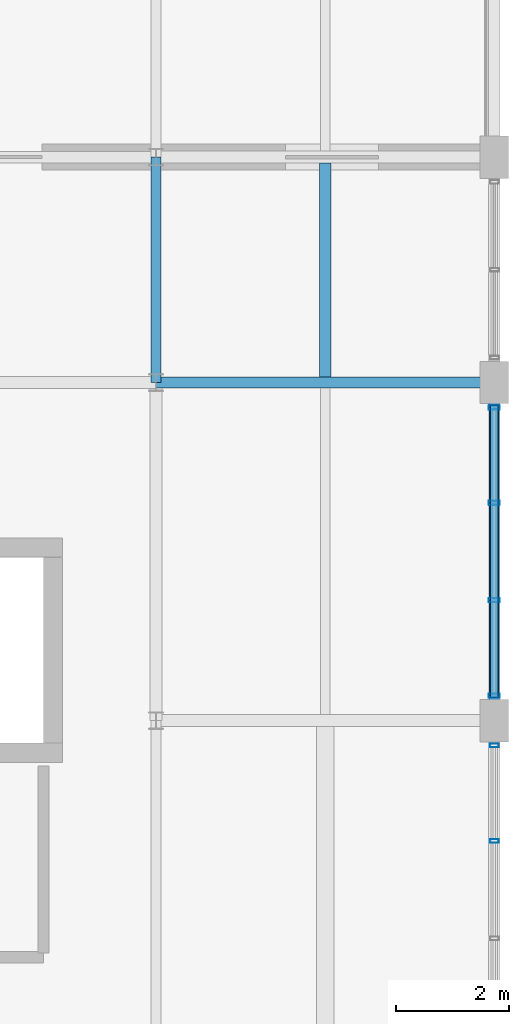
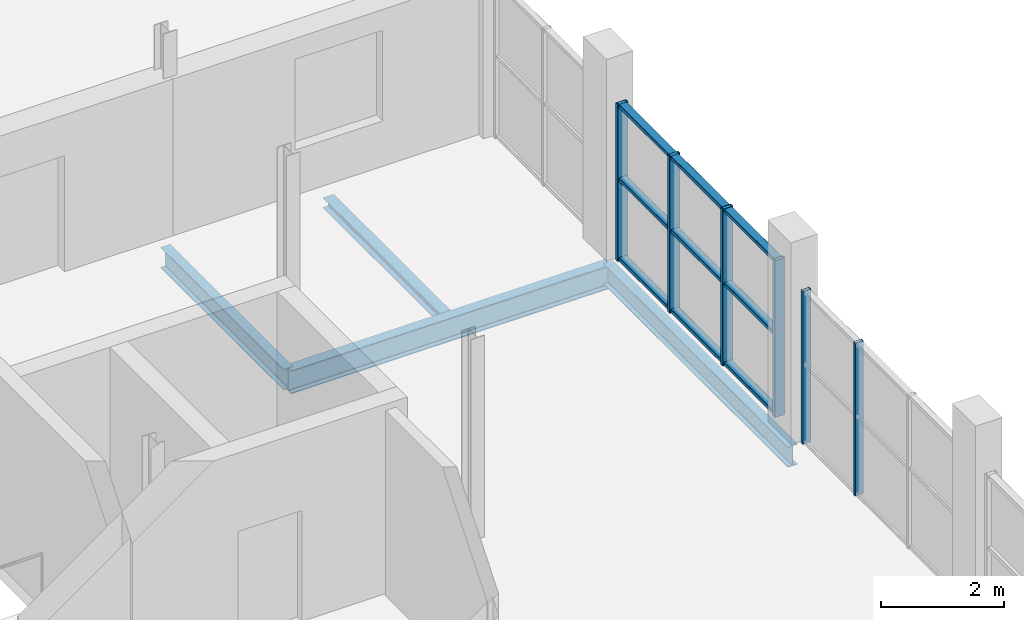
# One storey, part 71 of 96: 9 members, 4 beams, 2 elements without a shape of their own.
"""IFC4 building model written with IfcOpenShell, lengths in metres."""

from ifc_helpers import new_model, si_unit, direction, frame, origin, origin_2d, place, context, subcontext, project, spatial, hollow_rectangle, i_section, extrude, material, material_profile, profile_set, type_object, element, aggregate, save


model = new_model("IFC4")

# Units and contexts
model_context = context("Model", 3, precision=1e-05, world=origin(), true_north=direction((0.0, 1.0)))
body_context = subcontext(model_context, "Body", "Model", "MODEL_VIEW")
ifc_project = project(units=[si_unit("LENGTHUNIT", "METRE"), si_unit("AREAUNIT", "SQUARE_METRE"), si_unit("VOLUMEUNIT", "CUBIC_METRE"), si_unit("PLANEANGLEUNIT", "RADIAN"), si_unit("MASSUNIT", "GRAM", prefix="KILO")], contexts=[model_context])

# Site, building, storey
site_placement = place(None, origin())
site = spatial("IfcSite", under=ifc_project, at=site_placement, CompositionType="ELEMENT")
building_placement = place(site_placement, origin())
building = spatial("IfcBuilding", under=site, at=building_placement, Name="Verrall Gate Interchange", CompositionType="ELEMENT")
storey_placement = place(building_placement, frame((0.0, 0.0, 11.39990234375)))
storey = spatial("IfcBuildingStorey", under=building, at=storey_placement, Name="L03", CompositionType="ELEMENT", Elevation=11.39990234375)

# Beams
ifc_material_1 = material(Name="Structural Steel CSA G40.21 350W", Category="steel")
ifc_material_profile_1 = material_profile(ifc_material_1, i_section(OverallWidth=0.19189453125, OverallDepth=0.462890625, WebThickness=0.010498046875, FlangeThickness=0.017578125, FilletRadius=0.012939453125, at=origin_2d()), Name="W460x89")
ifc_profile_set_1 = profile_set([ifc_material_profile_1], Name="Structural Steel CSA G40.21 350W")
beam_type_1 = type_object("IfcBeamType", Name="B-11 Structural Beam W460x89", PredefinedType="BEAM", material=ifc_profile_set_1)
beam_1_placement = place(storey_placement, frame((162.0, 40.0, -0.5615234375), z_axis=(1.0, 0.0, 0.0), x_axis=(0.0, 1.0, 0.0)))
element("IfcBeam", 1, at=beam_1_placement, inside=storey, type_object=beam_type_1, Name="L03 Girder BM-L03-2084 (B-11)", PredefinedType="BEAM", context=body_context, shape_type="SweptSolid", body=[
    extrude(i_section(OverallWidth=0.19189453125, OverallDepth=0.462890625, WebThickness=0.010498046875, FlangeThickness=0.017578125, FilletRadius=0.012939453125, at=origin_2d()), origin(), (0.0, 0.0, 1.0), 6.0),
])
ifc_material_2 = material(Name="Structural Steel CSA G40.21 350W", Category="steel")
ifc_material_profile_2 = material_profile(ifc_material_2, i_section(OverallWidth=0.178955078125, OverallDepth=0.409912109375, WebThickness=0.0087890625, FlangeThickness=0.014404296875, FilletRadius=0.011962890625, at=origin_2d()), Name="W410x67")
ifc_profile_set_2 = profile_set([ifc_material_profile_2], Name="Structural Steel CSA G40.21 350W")
beam_type_2 = type_object("IfcBeamType", Name="B-12 Structural Beam W410x67", PredefinedType="BEAM", material=ifc_profile_set_2)
beam_2_placement = place(storey_placement, frame((162.0, 40.0, -0.534912109375), z_axis=(0.0, 1.0, 0.0), x_axis=(-1.0, 0.0, 0.0)))
element("IfcBeam", 2, at=beam_2_placement, inside=storey, type_object=beam_type_2, Name="L03 Girder BM-L03-2368 (B-12)", PredefinedType="BEAM", context=body_context, shape_type="SweptSolid", body=[
    extrude(i_section(OverallWidth=0.178955078125, OverallDepth=0.409912109375, WebThickness=0.0087890625, FlangeThickness=0.014404296875, FilletRadius=0.011962890625, at=origin_2d()), origin(), (0.0, 0.0, 1.0), 4.0),
])
beam_3_placement = place(storey_placement, frame((168.0, 34.0, -0.534912109375), z_axis=(0.0, 1.0, 0.0), x_axis=(-1.0, 0.0, 0.0)))
element("IfcBeam", 3, at=beam_3_placement, inside=storey, type_object=beam_type_2, Name="L03 Girder BM-L03-2375 (B-12)", PredefinedType="BEAM", context=body_context, shape_type="SweptSolid", body=[
    extrude(i_section(OverallWidth=0.178955078125, OverallDepth=0.409912109375, WebThickness=0.0087890625, FlangeThickness=0.014404296875, FilletRadius=0.011962890625, at=origin_2d()), origin(), (0.0, 0.0, 1.0), 6.0),
])

# Curtain wall, members
ifc_material_3 = material(Name="Thermally Broken Anodized Aluminium Curtain Wall Framing", Category="aluminium")
curtain_wall_type_1 = type_object("IfcCurtainWallType", Name="CW-39 Unitized Curtain Wall 5186x3030", PredefinedType="NOTDEFINED", material=ifc_material_3)
curtain_wall_1_placement = place(storey_placement, origin())
curtain_wall_1 = element("IfcCurtainWall", 4, at=curtain_wall_1_placement, inside=storey, type_object=curtain_wall_type_1, Name="L03 Unitized Curtain Wall CW-L03-118", PredefinedType="NOTDEFINED")
ifc_material_4 = material(Name="Thermally Broken Anodized Aluminium Curtain Wall Framing", Category="aluminium")
ifc_material_profile_3 = material_profile(ifc_material_4, hollow_rectangle(XDim=0.06494140625, YDim=0.159912109375, WallThickness=0.00390625, InnerFilletRadius=0.00390625, OuterFilletRadius=0.008056640625, at=origin_2d()), Name="CWM160x65x4")
ifc_profile_set_3 = profile_set([ifc_material_profile_3], Name="Thermally Broken Anodized Aluminium Curtain Wall Framing")
member_type_1 = type_object("IfcMemberType", Name="CM-01 Curtain Mullion CWM160x65x4", PredefinedType="MULLION", material=ifc_profile_set_3)
member_1_placement = place(storey_placement, frame((168.0, 31.8642578125, 0.0), z_axis=(0.0, 0.0, 1.0), x_axis=(0.0, 1.0, 0.0)))
member_1 = element("IfcMember", 5, at=member_1_placement, type_object=member_type_1, Name="CW-L03-118 Mullion 3", PredefinedType="MULLION", context=body_context, shape_type="SweptSolid", body=[
    extrude(hollow_rectangle(XDim=0.06494140625, YDim=0.159912109375, WallThickness=0.00390625, InnerFilletRadius=0.00390625, OuterFilletRadius=0.008056640625, at=origin_2d()), origin(), (0.0, 0.0, 1.0), 3.030029296875),
])
member_2_placement = place(storey_placement, frame((168.0, 33.560546875, 0.0), z_axis=(0.0, 0.0, 1.0), x_axis=(0.0, 1.0, 0.0)))
member_2 = element("IfcMember", 6, at=member_2_placement, type_object=member_type_1, Name="CW-L03-118 Mullion 4", PredefinedType="MULLION", context=body_context, shape_type="SweptSolid", body=[
    extrude(hollow_rectangle(XDim=0.06494140625, YDim=0.159912109375, WallThickness=0.00390625, InnerFilletRadius=0.00390625, OuterFilletRadius=0.008056640625, at=origin_2d()), origin(), (0.0, 0.0, 1.0), 3.030029296875),
])
aggregate(curtain_wall_1, [member_1, member_2])

ifc_material_5 = material(Name="Thermally Broken Anodized Aluminium Curtain Wall Framing", Category="aluminium")
curtain_wall_type_2 = type_object("IfcCurtainWallType", Name="CW-38 Unitized Curtain Wall 5186x3110", PredefinedType="NOTDEFINED", material=ifc_material_5)
curtain_wall_2_placement = place(storey_placement, origin())
curtain_wall_2 = element("IfcCurtainWall", 7, at=curtain_wall_2_placement, inside=storey, type_object=curtain_wall_type_2, Name="L03 Unitized Curtain Wall CW-L03-119", PredefinedType="NOTDEFINED")
ifc_material_6 = material(Name="Thermally Broken Anodized Aluminium Curtain Wall Framing", Category="aluminium")
ifc_material_profile_4 = material_profile(ifc_material_6, hollow_rectangle(XDim=0.074951171875, YDim=0.199951171875, WallThickness=0.0048828125, InnerFilletRadius=0.0048828125, OuterFilletRadius=0.010009765625, at=origin_2d()), Name="CWM200x75x5")
ifc_profile_set_4 = profile_set([ifc_material_profile_4], Name="Thermally Broken Anodized Aluminium Curtain Wall Framing")
member_type_2 = type_object("IfcMemberType", Name="CM-02 Curtain Mullion CWM200x75x5", PredefinedType="MULLION", material=ifc_profile_set_4)
member_3_placement = place(storey_placement, frame((168.0, 34.444580078125, 0.0), z_axis=(0.0, 0.0, 1.0), x_axis=(0.0, 1.0, 0.0)))
member_3 = element("IfcMember", 8, at=member_3_placement, type_object=member_type_2, Name="CW-L03-119 Mullion 1", PredefinedType="MULLION", context=body_context, shape_type="SweptSolid", body=[
    extrude(hollow_rectangle(XDim=0.074951171875, YDim=0.199951171875, WallThickness=0.0048828125, InnerFilletRadius=0.0048828125, OuterFilletRadius=0.010009765625, at=origin_2d()), origin(), (0.0, 0.0, 1.0), 3.110107421875),
])
member_4_placement = place(storey_placement, frame((168.0, 36.1357421875, 0.0), z_axis=(0.0, 0.0, 1.0), x_axis=(0.0, 1.0, 0.0)))
member_4 = element("IfcMember", 9, at=member_4_placement, type_object=member_type_2, Name="CW-L03-119 Mullion 2", PredefinedType="MULLION", context=body_context, shape_type="SweptSolid", body=[
    extrude(hollow_rectangle(XDim=0.074951171875, YDim=0.199951171875, WallThickness=0.0048828125, InnerFilletRadius=0.0048828125, OuterFilletRadius=0.010009765625, at=origin_2d()), origin(), (0.0, 0.0, 1.0), 3.110107421875),
])
member_5_placement = place(storey_placement, frame((168.0, 37.8642578125, 0.0), z_axis=(0.0, 0.0, 1.0), x_axis=(0.0, 1.0, 0.0)))
member_5 = element("IfcMember", 10, at=member_5_placement, type_object=member_type_2, Name="CW-L03-119 Mullion 3", PredefinedType="MULLION", context=body_context, shape_type="SweptSolid", body=[
    extrude(hollow_rectangle(XDim=0.074951171875, YDim=0.199951171875, WallThickness=0.0048828125, InnerFilletRadius=0.0048828125, OuterFilletRadius=0.010009765625, at=origin_2d()), origin(), (0.0, 0.0, 1.0), 3.110107421875),
])
member_6_placement = place(storey_placement, frame((168.0, 39.555419921875, 0.0), z_axis=(0.0, 0.0, 1.0), x_axis=(0.0, 1.0, 0.0)))
member_6 = element("IfcMember", 11, at=member_6_placement, type_object=member_type_2, Name="CW-L03-119 Mullion 4", PredefinedType="MULLION", context=body_context, shape_type="SweptSolid", body=[
    extrude(hollow_rectangle(XDim=0.074951171875, YDim=0.199951171875, WallThickness=0.0048828125, InnerFilletRadius=0.0048828125, OuterFilletRadius=0.010009765625, at=origin_2d()), origin(), (0.0, 0.0, 1.0), 3.110107421875),
])
ifc_material_7 = material(Name="Thermally Broken Anodized Aluminium Curtain Wall Framing", Category="aluminium")
ifc_material_profile_5 = material_profile(ifc_material_7, hollow_rectangle(XDim=0.14990234375, YDim=0.074951171875, WallThickness=0.00439453125, InnerFilletRadius=0.00439453125, OuterFilletRadius=0.009033203125, at=origin_2d()), Name="CWT150x75x4.5")
ifc_profile_set_5 = profile_set([ifc_material_profile_5], Name="Thermally Broken Anodized Aluminium Curtain Wall Framing")
member_type_3 = type_object("IfcMemberType", Name="CT-02 Curtain Transom CWT150x75x4.5", PredefinedType="USERDEFINED", material=ifc_profile_set_5)
member_7_placement = place(storey_placement, frame((168.0, 34.406982421875, 0.03759765625), z_axis=(0.0, 1.0, 0.0), x_axis=(-1.0, 0.0, 0.0)))
member_7 = element("IfcMember", 12, at=member_7_placement, type_object=member_type_3, Name="CW-L03-119 Transom 1", ObjectType="TRANSOM", PredefinedType="USERDEFINED", context=body_context, shape_type="SweptSolid", body=[
    extrude(hollow_rectangle(XDim=0.14990234375, YDim=0.074951171875, WallThickness=0.00439453125, InnerFilletRadius=0.00439453125, OuterFilletRadius=0.009033203125, at=origin_2d()), origin(), (0.0, 0.0, 1.0), 5.18603515625),
])
member_8_placement = place(storey_placement, frame((168.0, 34.406982421875, 1.6171875), z_axis=(0.0, 1.0, 0.0), x_axis=(-1.0, 0.0, 0.0)))
member_8 = element("IfcMember", 13, at=member_8_placement, type_object=member_type_3, Name="CW-L03-119 Transom 2", ObjectType="TRANSOM", PredefinedType="USERDEFINED", context=body_context, shape_type="SweptSolid", body=[
    extrude(hollow_rectangle(XDim=0.14990234375, YDim=0.074951171875, WallThickness=0.00439453125, InnerFilletRadius=0.00439453125, OuterFilletRadius=0.009033203125, at=origin_2d()), origin(), (0.0, 0.0, 1.0), 5.18603515625),
])
member_9_placement = place(storey_placement, frame((168.0, 34.406982421875, 3.072509765625), z_axis=(0.0, 1.0, 0.0), x_axis=(-1.0, 0.0, 0.0)))
member_9 = element("IfcMember", 14, at=member_9_placement, type_object=member_type_3, Name="CW-L03-119 Transom 3", ObjectType="TRANSOM", PredefinedType="USERDEFINED", context=body_context, shape_type="SweptSolid", body=[
    extrude(hollow_rectangle(XDim=0.14990234375, YDim=0.074951171875, WallThickness=0.00439453125, InnerFilletRadius=0.00439453125, OuterFilletRadius=0.009033203125, at=origin_2d()), origin(), (0.0, 0.0, 1.0), 5.18603515625),
])
aggregate(curtain_wall_2, [member_3, member_4, member_5, member_6, member_7, member_8, member_9])

# Beam
ifc_material_8 = material(Name="Structural Steel CSA G40.21 350W", Category="steel")
ifc_material_profile_6 = material_profile(ifc_material_8, i_section(OverallWidth=0.202880859375, OverallDepth=0.202880859375, WebThickness=0.007080078125, FlangeThickness=0.010986328125, FilletRadius=0.010009765625, at=origin_2d()), Name="W200x46")
ifc_profile_set_6 = profile_set([ifc_material_profile_6], Name="Structural Steel CSA G40.21 350W")
beam_type_3 = type_object("IfcBeamType", Name="J-07 Floor Joist W200x46", PredefinedType="JOIST", material=ifc_profile_set_6)
beam_4_placement = place(storey_placement, frame((165.0, 40.095947265625, -0.431396484375), z_axis=(0.0, 1.0, 0.0), x_axis=(-1.0, 0.0, 0.0)))
element("IfcBeam", 15, at=beam_4_placement, inside=storey, type_object=beam_type_3, Name="L03 Secondary Floor Joist JST-L03-2462", PredefinedType="JOIST", context=body_context, shape_type="SweptSolid", body=[
    extrude(i_section(OverallWidth=0.202880859375, OverallDepth=0.202880859375, WebThickness=0.007080078125, FlangeThickness=0.010986328125, FilletRadius=0.010009765625, at=origin_2d()), origin(), (0.0, 0.0, 1.0), 3.798583984375),
])

save(model, "model.ifc")
